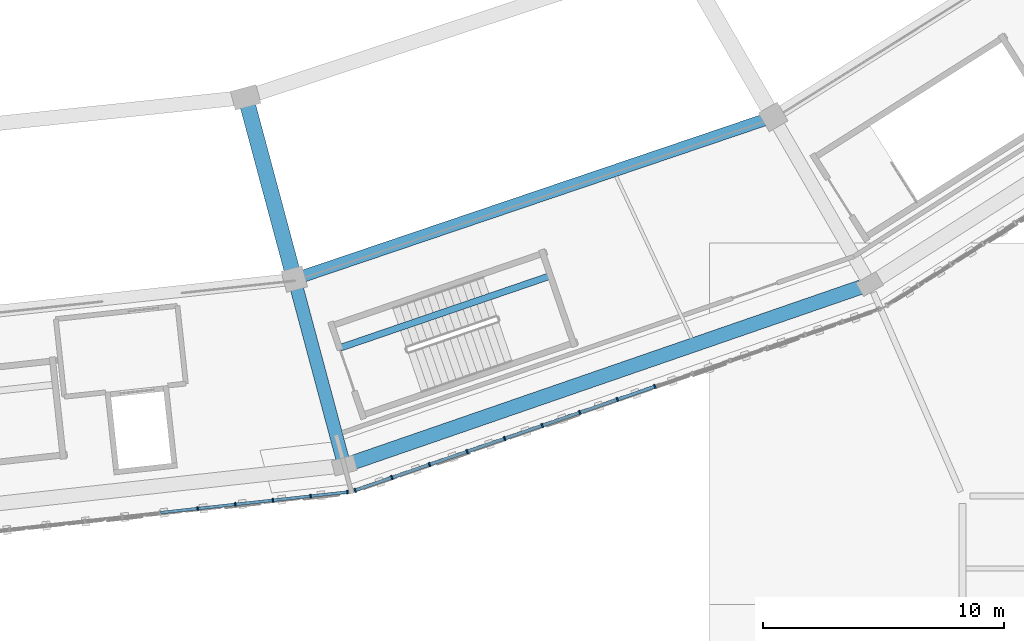
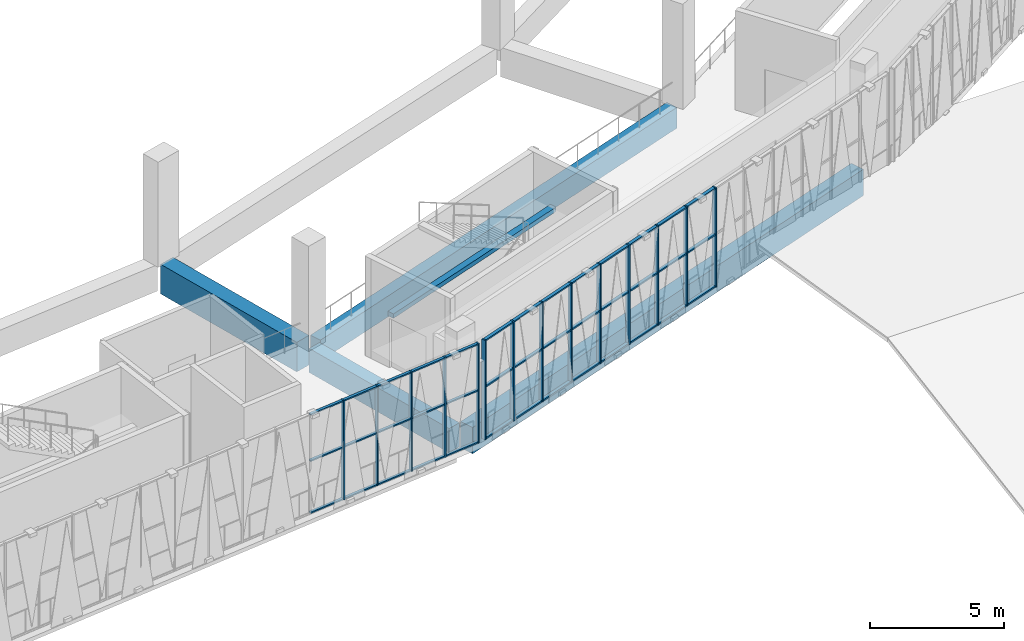
# One storey, part 19 of 108: 53 members, 5 beams, 2 elements without a shape of their own.
"""IFC4 building model written with IfcOpenShell, lengths in metres."""

from ifc_helpers import new_model, si_unit, direction, frame, origin, origin_2d, place, context, subcontext, project, spatial, rectangle, extrude, material, material_profile, profile_set, type_object, element, aggregate, save


model = new_model("IFC4")

# Units and contexts
model_context = context("Model", 3, precision=1e-05, world=origin(), true_north=direction((0.0, 1.0)))
body_context = subcontext(model_context, "Body", "Model", "MODEL_VIEW")
ifc_project = project(units=[si_unit("LENGTHUNIT", "METRE"), si_unit("AREAUNIT", "SQUARE_METRE"), si_unit("VOLUMEUNIT", "CUBIC_METRE"), si_unit("PLANEANGLEUNIT", "RADIAN"), si_unit("MASSUNIT", "GRAM", prefix="KILO")], contexts=[model_context])

# Site, building, storey
site_placement = place(None, origin())
site = spatial("IfcSite", under=ifc_project, at=site_placement, CompositionType="ELEMENT")
building_placement = place(site_placement, origin())
building = spatial("IfcBuilding", under=site, at=building_placement, Name="Zevraka Park Crest Stadium", CompositionType="ELEMENT")
storey_placement = place(building_placement, frame((0.0, 0.0, 19.800048828125)))
storey = spatial("IfcBuildingStorey", under=building, at=storey_placement, Name="L04", CompositionType="ELEMENT", Elevation=19.800048828125)

# Beams
ifc_material_1 = material(Name="Concrete C40/50", Category="concrete")
ifc_material_profile_1 = material_profile(ifc_material_1, rectangle(XDim=0.64990234375, YDim=1.35009765625, at=origin_2d()), Name="RC 1350x650")
ifc_profile_set_1 = profile_set([ifc_material_profile_1], Name="Concrete C40/50")
beam_type_1 = type_object("IfcBeamType", Name="BG01", PredefinedType="BEAM", material=ifc_profile_set_1)
beam_1_placement = place(storey_placement, frame((131.360107421875, 34.237060546875, -0.68505859375), z_axis=(0.258747385792, -0.965945024495, 0.0), x_axis=(0.965945024495, 0.258747385792, 0.0)))
element("IfcBeam", 1, at=beam_1_placement, inside=storey, type_object=beam_type_1, Name="Radial Girder BG01 L04-BC-19", PredefinedType="BEAM", context=body_context, shape_type="SweptSolid", body=[
    extrude(rectangle(XDim=0.64990234375, YDim=1.35009765625, at=origin_2d()), origin(), (0.0, 0.0, 1.0), 7.19921875),
])
ifc_material_2 = material(Name="Concrete C40/50", Category="concrete")
ifc_material_profile_2 = material_profile(ifc_material_2, rectangle(XDim=0.550048828125, YDim=1.10009765625, at=origin_2d()), Name="RC 1100x550")
ifc_profile_set_2 = profile_set([ifc_material_profile_2], Name="Concrete C40/50")
beam_type_2 = type_object("IfcBeamType", Name="BG02", PredefinedType="BEAM", material=ifc_profile_set_2)
beam_2_placement = place(storey_placement, frame((133.37890625, 26.702880859375, -0.56005859375), z_axis=(0.258697599806, -0.965958359276, 0.0), x_axis=(0.965958359276, 0.258697599806, 0.0)))
element("IfcBeam", 2, at=beam_2_placement, inside=storey, type_object=beam_type_2, Name="Radial Girder BG02 L04-CD-19", PredefinedType="BEAM", context=body_context, shape_type="SweptSolid", body=[
    extrude(rectangle(XDim=0.550048828125, YDim=1.10009765625, at=origin_2d()), origin(), (0.0, 0.0, 1.0), 7.39892578125),
])

# Curtain wall, members
ifc_material_3 = material(Name="Anodised architectural aluminium and laminated safety glass", Category="aluminium")
curtain_wall_type_1 = type_object("IfcCurtainWallType", Name="CW16", PredefinedType="NOTDEFINED", material=ifc_material_3)
curtain_wall_1_placement = place(storey_placement, origin())
curtain_wall_1 = element("IfcCurtainWall", 3, at=curtain_wall_1_placement, inside=storey, type_object=curtain_wall_type_1, Name="Unitised Ring Curtain Wall CW16 L04-18", PredefinedType="NOTDEFINED")
ifc_material_4 = material(Name="Anodised architectural aluminium", Category="aluminium")
ifc_material_profile_3 = material_profile(ifc_material_4, rectangle(XDim=0.159912109375, YDim=0.06005859375, at=origin_2d()), Name="ALU MULLION 160x60")
ifc_profile_set_3 = profile_set([ifc_material_profile_3], Name="Anodised architectural aluminium")
member_type_1 = type_object("IfcMemberType", Name="CM01", PredefinedType="MULLION", material=ifc_profile_set_3)
member_1_placement = place(storey_placement, frame((129.29296875, 17.484130859375, 0.0), z_axis=(0.0, 0.0, 1.0), x_axis=(-0.109405941967, 0.993997152844, 0.0)))
member_1 = element("IfcMember", 4, at=member_1_placement, type_object=member_type_1, Name="CW16 mullion 12", PredefinedType="MULLION", context=body_context, shape_type="SweptSolid", body=[
    extrude(rectangle(XDim=0.159912109375, YDim=0.06005859375, at=origin_2d()), origin(), (0.0, 0.0, 1.0), 4.5400390625),
])
member_2_placement = place(storey_placement, frame((130.853271484375, 17.65576171875, 0.0), z_axis=(0.0, 0.0, 1.0), x_axis=(-0.109405941967, 0.993997152844, 0.0)))
member_2 = element("IfcMember", 5, at=member_2_placement, type_object=member_type_1, Name="CW16 mullion 13", PredefinedType="MULLION", context=body_context, shape_type="SweptSolid", body=[
    extrude(rectangle(XDim=0.159912109375, YDim=0.06005859375, at=origin_2d()), origin(), (0.0, 0.0, 1.0), 4.5400390625),
])
member_3_placement = place(storey_placement, frame((132.41357421875, 17.82763671875, 0.0), z_axis=(0.0, 0.0, 1.0), x_axis=(-0.109405941967, 0.993997152844, 0.0)))
member_3 = element("IfcMember", 6, at=member_3_placement, type_object=member_type_1, Name="CW16 mullion 14", PredefinedType="MULLION", context=body_context, shape_type="SweptSolid", body=[
    extrude(rectangle(XDim=0.159912109375, YDim=0.06005859375, at=origin_2d()), origin(), (0.0, 0.0, 1.0), 4.5400390625),
])
member_4_placement = place(storey_placement, frame((133.9736328125, 17.999267578125, 0.0), z_axis=(0.0, 0.0, 1.0), x_axis=(-0.109405941967, 0.993997152844, 0.0)))
member_4 = element("IfcMember", 7, at=member_4_placement, type_object=member_type_1, Name="CW16 mullion 15", PredefinedType="MULLION", context=body_context, shape_type="SweptSolid", body=[
    extrude(rectangle(XDim=0.159912109375, YDim=0.06005859375, at=origin_2d()), origin(), (0.0, 0.0, 1.0), 4.5400390625),
])
member_5_placement = place(storey_placement, frame((135.504150390625, 18.167724609375, 0.0), z_axis=(0.0, 0.0, 1.0), x_axis=(-0.109405941967, 0.993997152844, 0.0)))
member_5 = element("IfcMember", 8, at=member_5_placement, type_object=member_type_1, Name="CW16 mullion 16", PredefinedType="MULLION", context=body_context, shape_type="SweptSolid", body=[
    extrude(rectangle(XDim=0.159912109375, YDim=0.06005859375, at=origin_2d()), origin(), (0.0, 0.0, 1.0), 4.5400390625),
])

ifc_material_5 = material(Name="Anodised architectural aluminium and laminated safety glass", Category="aluminium")
curtain_wall_type_2 = type_object("IfcCurtainWallType", Name="CW17", PredefinedType="NOTDEFINED", material=ifc_material_5)
curtain_wall_2_placement = place(storey_placement, origin())
curtain_wall_2 = element("IfcCurtainWall", 9, at=curtain_wall_2_placement, inside=storey, type_object=curtain_wall_type_2, Name="Unitised Ring Curtain Wall CW17 L04-19", PredefinedType="NOTDEFINED")
ifc_material_6 = material(Name="Anodised architectural aluminium", Category="aluminium")
ifc_material_profile_4 = material_profile(ifc_material_6, rectangle(XDim=0.179931640625, YDim=0.06494140625, at=origin_2d()), Name="ALU MULLION 180x65")
ifc_profile_set_4 = profile_set([ifc_material_profile_4], Name="Anodised architectural aluminium")
member_type_2 = type_object("IfcMemberType", Name="CM02", PredefinedType="MULLION", material=ifc_profile_set_4)
member_6_placement = place(storey_placement, frame((135.818603515625, 18.238525390625, 0.0), z_axis=(0.0, 0.0, 1.0), x_axis=(-0.327244524523, 0.944939691816, 0.0)))
member_6 = element("IfcMember", 10, at=member_6_placement, type_object=member_type_2, Name="CW17 mullion 1", PredefinedType="MULLION", context=body_context, shape_type="SweptSolid", body=[
    extrude(rectangle(XDim=0.179931640625, YDim=0.06494140625, at=origin_2d()), origin(), (0.0, 0.0, 1.0), 4.5400390625),
])
member_7_placement = place(storey_placement, frame((137.345458984375, 18.767333984375, 0.0), z_axis=(0.0, 0.0, 1.0), x_axis=(-0.327244524523, 0.944939691816, 0.0)))
member_7 = element("IfcMember", 11, at=member_7_placement, type_object=member_type_2, Name="CW17 mullion 2", PredefinedType="MULLION", context=body_context, shape_type="SweptSolid", body=[
    extrude(rectangle(XDim=0.179931640625, YDim=0.06494140625, at=origin_2d()), origin(), (0.0, 0.0, 1.0), 4.5400390625),
])
member_8_placement = place(storey_placement, frame((138.90283203125, 19.306640625, 0.0), z_axis=(0.0, 0.0, 1.0), x_axis=(-0.327244524523, 0.944939691816, 0.0)))
member_8 = element("IfcMember", 12, at=member_8_placement, type_object=member_type_2, Name="CW17 mullion 3", PredefinedType="MULLION", context=body_context, shape_type="SweptSolid", body=[
    extrude(rectangle(XDim=0.179931640625, YDim=0.06494140625, at=origin_2d()), origin(), (0.0, 0.0, 1.0), 4.5400390625),
])
member_9_placement = place(storey_placement, frame((140.460205078125, 19.84619140625, 0.0), z_axis=(0.0, 0.0, 1.0), x_axis=(-0.327244524523, 0.944939691816, 0.0)))
member_9 = element("IfcMember", 13, at=member_9_placement, type_object=member_type_2, Name="CW17 mullion 4", PredefinedType="MULLION", context=body_context, shape_type="SweptSolid", body=[
    extrude(rectangle(XDim=0.179931640625, YDim=0.06494140625, at=origin_2d()), origin(), (0.0, 0.0, 1.0), 4.5400390625),
])
member_10_placement = place(storey_placement, frame((142.017822265625, 20.385498046875, 0.0), z_axis=(0.0, 0.0, 1.0), x_axis=(-0.327244524523, 0.944939691816, 0.0)))
member_10 = element("IfcMember", 14, at=member_10_placement, type_object=member_type_2, Name="CW17 mullion 5", PredefinedType="MULLION", context=body_context, shape_type="SweptSolid", body=[
    extrude(rectangle(XDim=0.179931640625, YDim=0.06494140625, at=origin_2d()), origin(), (0.0, 0.0, 1.0), 4.5400390625),
])
member_11_placement = place(storey_placement, frame((143.5751953125, 20.9248046875, 0.0), z_axis=(0.0, 0.0, 1.0), x_axis=(-0.327244524523, 0.944939691816, 0.0)))
member_11 = element("IfcMember", 15, at=member_11_placement, type_object=member_type_2, Name="CW17 mullion 6", PredefinedType="MULLION", context=body_context, shape_type="SweptSolid", body=[
    extrude(rectangle(XDim=0.179931640625, YDim=0.06494140625, at=origin_2d()), origin(), (0.0, 0.0, 1.0), 4.5400390625),
])
member_12_placement = place(storey_placement, frame((145.132568359375, 21.464111328125, 0.0), z_axis=(0.0, 0.0, 1.0), x_axis=(-0.327244524523, 0.944939691816, 0.0)))
member_12 = element("IfcMember", 16, at=member_12_placement, type_object=member_type_2, Name="CW17 mullion 7", PredefinedType="MULLION", context=body_context, shape_type="SweptSolid", body=[
    extrude(rectangle(XDim=0.179931640625, YDim=0.06494140625, at=origin_2d()), origin(), (0.0, 0.0, 1.0), 4.5400390625),
])
member_13_placement = place(storey_placement, frame((146.68994140625, 22.00341796875, 0.0), z_axis=(0.0, 0.0, 1.0), x_axis=(-0.327244524523, 0.944939691816, 0.0)))
member_13 = element("IfcMember", 17, at=member_13_placement, type_object=member_type_2, Name="CW17 mullion 8", PredefinedType="MULLION", context=body_context, shape_type="SweptSolid", body=[
    extrude(rectangle(XDim=0.179931640625, YDim=0.06494140625, at=origin_2d()), origin(), (0.0, 0.0, 1.0), 4.5400390625),
])
member_14_placement = place(storey_placement, frame((148.247314453125, 22.54296875, 0.0), z_axis=(0.0, 0.0, 1.0), x_axis=(-0.327244524523, 0.944939691816, 0.0)))
member_14 = element("IfcMember", 18, at=member_14_placement, type_object=member_type_2, Name="CW17 mullion 9", PredefinedType="MULLION", context=body_context, shape_type="SweptSolid", body=[
    extrude(rectangle(XDim=0.179931640625, YDim=0.06494140625, at=origin_2d()), origin(), (0.0, 0.0, 1.0), 4.5400390625),
])

# Member
ifc_material_7 = material(Name="Anodised architectural aluminium", Category="aluminium")
ifc_material_profile_5 = material_profile(ifc_material_7, rectangle(XDim=0.1201171875, YDim=0.06005859375, at=origin_2d()), Name="ALU TRANSOM 120x60")
ifc_profile_set_5 = profile_set([ifc_material_profile_5], Name="Anodised architectural aluminium")
member_type_3 = type_object("IfcMemberType", Name="CT01", PredefinedType="USERDEFINED", material=ifc_profile_set_5)
member_15_placement = place(storey_placement, frame((127.762451171875, 17.315673828125, 0.030029296875), z_axis=(0.994007343316, 0.109313317729, 0.0), x_axis=(-0.109313317729, 0.994007343316, 0.0)))
member_15 = element("IfcMember", 19, at=member_15_placement, type_object=member_type_3, Name="CW16 transom 11.1", ObjectType="TRANSOM", PredefinedType="USERDEFINED", context=body_context, shape_type="SweptSolid", body=[
    extrude(rectangle(XDim=0.1201171875, YDim=0.06005859375, at=origin_2d()), origin(), (0.0, 0.0, 1.0), 1.509765625),
])

member_16_placement = place(storey_placement, frame((127.762451171875, 17.315673828125, 2.39990234375), z_axis=(0.994007343316, 0.109313317729, 0.0), x_axis=(-0.109313317729, 0.994007343316, 0.0)))
member_16 = element("IfcMember", 20, at=member_16_placement, type_object=member_type_3, Name="CW16 transom 11.2", ObjectType="TRANSOM", PredefinedType="USERDEFINED", context=body_context, shape_type="SweptSolid", body=[
    extrude(rectangle(XDim=0.1201171875, YDim=0.06005859375, at=origin_2d()), origin(), (0.0, 0.0, 1.0), 1.509765625),
])

member_17_placement = place(storey_placement, frame((127.762451171875, 17.315673828125, 4.510009765625), z_axis=(0.994007343316, 0.109313317729, 0.0), x_axis=(-0.109313317729, 0.994007343316, 0.0)))
member_17 = element("IfcMember", 21, at=member_17_placement, type_object=member_type_3, Name="CW16 transom 11.3", ObjectType="TRANSOM", PredefinedType="USERDEFINED", context=body_context, shape_type="SweptSolid", body=[
    extrude(rectangle(XDim=0.1201171875, YDim=0.06005859375, at=origin_2d()), origin(), (0.0, 0.0, 1.0), 1.509765625),
])

member_18_placement = place(storey_placement, frame((129.32275390625, 17.4873046875, 0.030029296875), z_axis=(0.993989760088, 0.109473087291, 0.0), x_axis=(-0.109473087291, 0.993989760088, 0.0)))
member_18 = element("IfcMember", 22, at=member_18_placement, type_object=member_type_3, Name="CW16 transom 12.1", ObjectType="TRANSOM", PredefinedType="USERDEFINED", context=body_context, shape_type="SweptSolid", body=[
    extrude(rectangle(XDim=0.1201171875, YDim=0.06005859375, at=origin_2d()), origin(), (0.0, 0.0, 1.0), 1.509765625),
])

member_19_placement = place(storey_placement, frame((129.32275390625, 17.4873046875, 2.39990234375), z_axis=(0.993989760088, 0.109473087291, 0.0), x_axis=(-0.109473087291, 0.993989760088, 0.0)))
member_19 = element("IfcMember", 23, at=member_19_placement, type_object=member_type_3, Name="CW16 transom 12.2", ObjectType="TRANSOM", PredefinedType="USERDEFINED", context=body_context, shape_type="SweptSolid", body=[
    extrude(rectangle(XDim=0.1201171875, YDim=0.06005859375, at=origin_2d()), origin(), (0.0, 0.0, 1.0), 1.509765625),
])

member_20_placement = place(storey_placement, frame((129.32275390625, 17.4873046875, 4.510009765625), z_axis=(0.993989760088, 0.109473087291, 0.0), x_axis=(-0.109473087291, 0.993989760088, 0.0)))
member_20 = element("IfcMember", 24, at=member_20_placement, type_object=member_type_3, Name="CW16 transom 12.3", ObjectType="TRANSOM", PredefinedType="USERDEFINED", context=body_context, shape_type="SweptSolid", body=[
    extrude(rectangle(XDim=0.1201171875, YDim=0.06005859375, at=origin_2d()), origin(), (0.0, 0.0, 1.0), 1.509765625),
])

member_21_placement = place(storey_placement, frame((130.883056640625, 17.6591796875, 0.030029296875), z_axis=(0.994005410559, 0.109330891236, 0.0), x_axis=(-0.109330891236, 0.994005410559, 0.0)))
member_21 = element("IfcMember", 25, at=member_21_placement, type_object=member_type_3, Name="CW16 transom 13.1", ObjectType="TRANSOM", PredefinedType="USERDEFINED", context=body_context, shape_type="SweptSolid", body=[
    extrude(rectangle(XDim=0.1201171875, YDim=0.06005859375, at=origin_2d()), origin(), (0.0, 0.0, 1.0), 1.509521484375),
])

member_22_placement = place(storey_placement, frame((130.883056640625, 17.6591796875, 2.39990234375), z_axis=(0.994005410559, 0.109330891236, 0.0), x_axis=(-0.109330891236, 0.994005410559, 0.0)))
member_22 = element("IfcMember", 26, at=member_22_placement, type_object=member_type_3, Name="CW16 transom 13.2", ObjectType="TRANSOM", PredefinedType="USERDEFINED", context=body_context, shape_type="SweptSolid", body=[
    extrude(rectangle(XDim=0.1201171875, YDim=0.06005859375, at=origin_2d()), origin(), (0.0, 0.0, 1.0), 1.509521484375),
])

member_23_placement = place(storey_placement, frame((130.883056640625, 17.6591796875, 4.510009765625), z_axis=(0.994005410559, 0.109330891236, 0.0), x_axis=(-0.109330891236, 0.994005410559, 0.0)))
member_23 = element("IfcMember", 27, at=member_23_placement, type_object=member_type_3, Name="CW16 transom 13.3", ObjectType="TRANSOM", PredefinedType="USERDEFINED", context=body_context, shape_type="SweptSolid", body=[
    extrude(rectangle(XDim=0.1201171875, YDim=0.06005859375, at=origin_2d()), origin(), (0.0, 0.0, 1.0), 1.509521484375),
])

member_24_placement = place(storey_placement, frame((132.443359375, 17.830810546875, 0.030029296875), z_axis=(0.993987821711, 0.10949068586, 0.0), x_axis=(-0.10949068586, 0.993987821711, 0.0)))
member_24 = element("IfcMember", 28, at=member_24_placement, type_object=member_type_3, Name="CW16 transom 14.1", ObjectType="TRANSOM", PredefinedType="USERDEFINED", context=body_context, shape_type="SweptSolid", body=[
    extrude(rectangle(XDim=0.1201171875, YDim=0.06005859375, at=origin_2d()), origin(), (0.0, 0.0, 1.0), 1.509521484375),
])

member_25_placement = place(storey_placement, frame((132.443359375, 17.830810546875, 2.39990234375), z_axis=(0.993987821711, 0.10949068586, 0.0), x_axis=(-0.10949068586, 0.993987821711, 0.0)))
member_25 = element("IfcMember", 29, at=member_25_placement, type_object=member_type_3, Name="CW16 transom 14.2", ObjectType="TRANSOM", PredefinedType="USERDEFINED", context=body_context, shape_type="SweptSolid", body=[
    extrude(rectangle(XDim=0.1201171875, YDim=0.06005859375, at=origin_2d()), origin(), (0.0, 0.0, 1.0), 1.509521484375),
])

member_26_placement = place(storey_placement, frame((132.443359375, 17.830810546875, 4.510009765625), z_axis=(0.993987821711, 0.10949068586, 0.0), x_axis=(-0.10949068586, 0.993987821711, 0.0)))
member_26 = element("IfcMember", 30, at=member_26_placement, type_object=member_type_3, Name="CW16 transom 14.3", ObjectType="TRANSOM", PredefinedType="USERDEFINED", context=body_context, shape_type="SweptSolid", body=[
    extrude(rectangle(XDim=0.1201171875, YDim=0.06005859375, at=origin_2d()), origin(), (0.0, 0.0, 1.0), 1.509521484375),
])

member_27_placement = place(storey_placement, frame((134.003662109375, 18.00244140625, 0.030029296875), z_axis=(0.993979941823, 0.109562198103, 0.0), x_axis=(-0.109562198103, 0.993979941823, 0.0)))
member_27 = element("IfcMember", 31, at=member_27_placement, type_object=member_type_3, Name="CW16 transom 15.1", ObjectType="TRANSOM", PredefinedType="USERDEFINED", context=body_context, shape_type="SweptSolid", body=[
    extrude(rectangle(XDim=0.1201171875, YDim=0.06005859375, at=origin_2d()), origin(), (0.0, 0.0, 1.0), 1.4794921875),
])

member_28_placement = place(storey_placement, frame((134.003662109375, 18.00244140625, 2.39990234375), z_axis=(0.993979941823, 0.109562198103, 0.0), x_axis=(-0.109562198103, 0.993979941823, 0.0)))
member_28 = element("IfcMember", 32, at=member_28_placement, type_object=member_type_3, Name="CW16 transom 15.2", ObjectType="TRANSOM", PredefinedType="USERDEFINED", context=body_context, shape_type="SweptSolid", body=[
    extrude(rectangle(XDim=0.1201171875, YDim=0.06005859375, at=origin_2d()), origin(), (0.0, 0.0, 1.0), 1.4794921875),
])

member_29_placement = place(storey_placement, frame((134.003662109375, 18.00244140625, 4.510009765625), z_axis=(0.993979941823, 0.109562198103, 0.0), x_axis=(-0.109562198103, 0.993979941823, 0.0)))
member_29 = element("IfcMember", 33, at=member_29_placement, type_object=member_type_3, Name="CW16 transom 15.3", ObjectType="TRANSOM", PredefinedType="USERDEFINED", context=body_context, shape_type="SweptSolid", body=[
    extrude(rectangle(XDim=0.1201171875, YDim=0.06005859375, at=origin_2d()), origin(), (0.0, 0.0, 1.0), 1.4794921875),
])

aggregate(curtain_wall_1, [member_1, member_2, member_3, member_4, member_5, member_15, member_16, member_17, member_18, member_19, member_20, member_21, member_22, member_23, member_24, member_25, member_26, member_27, member_28, member_29])

ifc_material_8 = material(Name="Anodised architectural aluminium", Category="aluminium")
ifc_material_profile_6 = material_profile(ifc_material_8, rectangle(XDim=0.139892578125, YDim=0.06494140625, at=origin_2d()), Name="ALU TRANSOM 140x65")
ifc_profile_set_6 = profile_set([ifc_material_profile_6], Name="Anodised architectural aluminium")
member_type_4 = type_object("IfcMemberType", Name="CT02", PredefinedType="USERDEFINED", material=ifc_profile_set_6)
member_30_placement = place(storey_placement, frame((135.849365234375, 18.249267578125, 0.032470703125), z_axis=(0.944918670821, 0.3273052177, 0.0), x_axis=(-0.3273052177, 0.944918670821, 0.0)))
member_30 = element("IfcMember", 34, at=member_30_placement, type_object=member_type_4, Name="CW17 transom 1.1", ObjectType="TRANSOM", PredefinedType="USERDEFINED", context=body_context, shape_type="SweptSolid", body=[
    extrude(rectangle(XDim=0.139892578125, YDim=0.06494140625, at=origin_2d()), origin(), (0.0, 0.0, 1.0), 1.55078125),
])

member_31_placement = place(storey_placement, frame((135.849365234375, 18.249267578125, 2.39990234375), z_axis=(0.944918670821, 0.3273052177, 0.0), x_axis=(-0.3273052177, 0.944918670821, 0.0)))
member_31 = element("IfcMember", 35, at=member_31_placement, type_object=member_type_4, Name="CW17 transom 1.2", ObjectType="TRANSOM", PredefinedType="USERDEFINED", context=body_context, shape_type="SweptSolid", body=[
    extrude(rectangle(XDim=0.139892578125, YDim=0.06494140625, at=origin_2d()), origin(), (0.0, 0.0, 1.0), 1.55078125),
])

member_32_placement = place(storey_placement, frame((135.849365234375, 18.249267578125, 4.507568359375), z_axis=(0.944918670821, 0.3273052177, 0.0), x_axis=(-0.3273052177, 0.944918670821, 0.0)))
member_32 = element("IfcMember", 36, at=member_32_placement, type_object=member_type_4, Name="CW17 transom 1.3", ObjectType="TRANSOM", PredefinedType="USERDEFINED", context=body_context, shape_type="SweptSolid", body=[
    extrude(rectangle(XDim=0.139892578125, YDim=0.06494140625, at=origin_2d()), origin(), (0.0, 0.0, 1.0), 1.55078125),
])

member_33_placement = place(storey_placement, frame((137.376220703125, 18.778076171875, 0.032470703125), z_axis=(0.944932887153, 0.327264172766, 0.0), x_axis=(-0.327264172766, 0.944932887153, 0.0)))
member_33 = element("IfcMember", 37, at=member_33_placement, type_object=member_type_4, Name="CW17 transom 2.1", ObjectType="TRANSOM", PredefinedType="USERDEFINED", context=body_context, shape_type="SweptSolid", body=[
    extrude(rectangle(XDim=0.139892578125, YDim=0.06494140625, at=origin_2d()), origin(), (0.0, 0.0, 1.0), 1.5830078125),
])

member_34_placement = place(storey_placement, frame((137.376220703125, 18.778076171875, 2.39990234375), z_axis=(0.944932887153, 0.327264172766, 0.0), x_axis=(-0.327264172766, 0.944932887153, 0.0)))
member_34 = element("IfcMember", 38, at=member_34_placement, type_object=member_type_4, Name="CW17 transom 2.2", ObjectType="TRANSOM", PredefinedType="USERDEFINED", context=body_context, shape_type="SweptSolid", body=[
    extrude(rectangle(XDim=0.139892578125, YDim=0.06494140625, at=origin_2d()), origin(), (0.0, 0.0, 1.0), 1.5830078125),
])

member_35_placement = place(storey_placement, frame((137.376220703125, 18.778076171875, 4.507568359375), z_axis=(0.944932887153, 0.327264172766, 0.0), x_axis=(-0.327264172766, 0.944932887153, 0.0)))
member_35 = element("IfcMember", 39, at=member_35_placement, type_object=member_type_4, Name="CW17 transom 2.3", ObjectType="TRANSOM", PredefinedType="USERDEFINED", context=body_context, shape_type="SweptSolid", body=[
    extrude(rectangle(XDim=0.139892578125, YDim=0.06494140625, at=origin_2d()), origin(), (0.0, 0.0, 1.0), 1.5830078125),
])

member_36_placement = place(storey_placement, frame((138.93359375, 19.3173828125, 0.032470703125), z_axis=(0.94494940126, 0.327216486533, 0.0), x_axis=(-0.327216486533, 0.94494940126, 0.0)))
member_36 = element("IfcMember", 40, at=member_36_placement, type_object=member_type_4, Name="CW17 transom 3.1", ObjectType="TRANSOM", PredefinedType="USERDEFINED", context=body_context, shape_type="SweptSolid", body=[
    extrude(rectangle(XDim=0.139892578125, YDim=0.06494140625, at=origin_2d()), origin(), (0.0, 0.0, 1.0), 1.583251953125),
])

member_37_placement = place(storey_placement, frame((138.93359375, 19.3173828125, 2.39990234375), z_axis=(0.94494940126, 0.327216486533, 0.0), x_axis=(-0.327216486533, 0.94494940126, 0.0)))
member_37 = element("IfcMember", 41, at=member_37_placement, type_object=member_type_4, Name="CW17 transom 3.2", ObjectType="TRANSOM", PredefinedType="USERDEFINED", context=body_context, shape_type="SweptSolid", body=[
    extrude(rectangle(XDim=0.139892578125, YDim=0.06494140625, at=origin_2d()), origin(), (0.0, 0.0, 1.0), 1.583251953125),
])

member_38_placement = place(storey_placement, frame((138.93359375, 19.3173828125, 4.507568359375), z_axis=(0.94494940126, 0.327216486533, 0.0), x_axis=(-0.327216486533, 0.94494940126, 0.0)))
member_38 = element("IfcMember", 42, at=member_38_placement, type_object=member_type_4, Name="CW17 transom 3.3", ObjectType="TRANSOM", PredefinedType="USERDEFINED", context=body_context, shape_type="SweptSolid", body=[
    extrude(rectangle(XDim=0.139892578125, YDim=0.06494140625, at=origin_2d()), origin(), (0.0, 0.0, 1.0), 1.583251953125),
])

member_39_placement = place(storey_placement, frame((140.490966796875, 19.856689453125, 0.032470703125), z_axis=(0.94494940126, 0.327216486533, 0.0), x_axis=(-0.327216486533, 0.94494940126, 0.0)))
member_39 = element("IfcMember", 43, at=member_39_placement, type_object=member_type_4, Name="CW17 transom 4.1", ObjectType="TRANSOM", PredefinedType="USERDEFINED", context=body_context, shape_type="SweptSolid", body=[
    extrude(rectangle(XDim=0.139892578125, YDim=0.06494140625, at=origin_2d()), origin(), (0.0, 0.0, 1.0), 1.583251953125),
])

member_40_placement = place(storey_placement, frame((140.490966796875, 19.856689453125, 2.39990234375), z_axis=(0.94494940126, 0.327216486533, 0.0), x_axis=(-0.327216486533, 0.94494940126, 0.0)))
member_40 = element("IfcMember", 44, at=member_40_placement, type_object=member_type_4, Name="CW17 transom 4.2", ObjectType="TRANSOM", PredefinedType="USERDEFINED", context=body_context, shape_type="SweptSolid", body=[
    extrude(rectangle(XDim=0.139892578125, YDim=0.06494140625, at=origin_2d()), origin(), (0.0, 0.0, 1.0), 1.583251953125),
])

member_41_placement = place(storey_placement, frame((140.490966796875, 19.856689453125, 4.507568359375), z_axis=(0.94494940126, 0.327216486533, 0.0), x_axis=(-0.327216486533, 0.94494940126, 0.0)))
member_41 = element("IfcMember", 45, at=member_41_placement, type_object=member_type_4, Name="CW17 transom 4.3", ObjectType="TRANSOM", PredefinedType="USERDEFINED", context=body_context, shape_type="SweptSolid", body=[
    extrude(rectangle(XDim=0.139892578125, YDim=0.06494140625, at=origin_2d()), origin(), (0.0, 0.0, 1.0), 1.583251953125),
])

member_42_placement = place(storey_placement, frame((142.04833984375, 20.39599609375, 0.032470703125), z_axis=(0.94494940126, 0.327216486533, 0.0), x_axis=(-0.327216486533, 0.94494940126, 0.0)))
member_42 = element("IfcMember", 46, at=member_42_placement, type_object=member_type_4, Name="CW17 transom 5.1", ObjectType="TRANSOM", PredefinedType="USERDEFINED", context=body_context, shape_type="SweptSolid", body=[
    extrude(rectangle(XDim=0.139892578125, YDim=0.06494140625, at=origin_2d()), origin(), (0.0, 0.0, 1.0), 1.583251953125),
])

member_43_placement = place(storey_placement, frame((142.04833984375, 20.39599609375, 2.39990234375), z_axis=(0.94494940126, 0.327216486533, 0.0), x_axis=(-0.327216486533, 0.94494940126, 0.0)))
member_43 = element("IfcMember", 47, at=member_43_placement, type_object=member_type_4, Name="CW17 transom 5.2", ObjectType="TRANSOM", PredefinedType="USERDEFINED", context=body_context, shape_type="SweptSolid", body=[
    extrude(rectangle(XDim=0.139892578125, YDim=0.06494140625, at=origin_2d()), origin(), (0.0, 0.0, 1.0), 1.583251953125),
])

member_44_placement = place(storey_placement, frame((142.04833984375, 20.39599609375, 4.507568359375), z_axis=(0.94494940126, 0.327216486533, 0.0), x_axis=(-0.327216486533, 0.94494940126, 0.0)))
member_44 = element("IfcMember", 48, at=member_44_placement, type_object=member_type_4, Name="CW17 transom 5.3", ObjectType="TRANSOM", PredefinedType="USERDEFINED", context=body_context, shape_type="SweptSolid", body=[
    extrude(rectangle(XDim=0.139892578125, YDim=0.06494140625, at=origin_2d()), origin(), (0.0, 0.0, 1.0), 1.583251953125),
])

member_45_placement = place(storey_placement, frame((143.60595703125, 20.935302734375, 0.032470703125), z_axis=(0.944885186761, 0.327401869021, 0.0), x_axis=(-0.327401869021, 0.944885186761, 0.0)))
member_45 = element("IfcMember", 49, at=member_45_placement, type_object=member_type_4, Name="CW17 transom 6.1", ObjectType="TRANSOM", PredefinedType="USERDEFINED", context=body_context, shape_type="SweptSolid", body=[
    extrude(rectangle(XDim=0.139892578125, YDim=0.06494140625, at=origin_2d()), origin(), (0.0, 0.0, 1.0), 1.5830078125),
])

member_46_placement = place(storey_placement, frame((143.60595703125, 20.935302734375, 2.39990234375), z_axis=(0.944885186761, 0.327401869021, 0.0), x_axis=(-0.327401869021, 0.944885186761, 0.0)))
member_46 = element("IfcMember", 50, at=member_46_placement, type_object=member_type_4, Name="CW17 transom 6.2", ObjectType="TRANSOM", PredefinedType="USERDEFINED", context=body_context, shape_type="SweptSolid", body=[
    extrude(rectangle(XDim=0.139892578125, YDim=0.06494140625, at=origin_2d()), origin(), (0.0, 0.0, 1.0), 1.5830078125),
])

member_47_placement = place(storey_placement, frame((143.60595703125, 20.935302734375, 4.507568359375), z_axis=(0.944885186761, 0.327401869021, 0.0), x_axis=(-0.327401869021, 0.944885186761, 0.0)))
member_47 = element("IfcMember", 51, at=member_47_placement, type_object=member_type_4, Name="CW17 transom 6.3", ObjectType="TRANSOM", PredefinedType="USERDEFINED", context=body_context, shape_type="SweptSolid", body=[
    extrude(rectangle(XDim=0.139892578125, YDim=0.06494140625, at=origin_2d()), origin(), (0.0, 0.0, 1.0), 1.5830078125),
])

member_48_placement = place(storey_placement, frame((145.163330078125, 21.474853515625, 0.032470703125), z_axis=(0.944932887153, 0.327264172766, 0.0), x_axis=(-0.327264172766, 0.944932887153, 0.0)))
member_48 = element("IfcMember", 52, at=member_48_placement, type_object=member_type_4, Name="CW17 transom 7.1", ObjectType="TRANSOM", PredefinedType="USERDEFINED", context=body_context, shape_type="SweptSolid", body=[
    extrude(rectangle(XDim=0.139892578125, YDim=0.06494140625, at=origin_2d()), origin(), (0.0, 0.0, 1.0), 1.5830078125),
])

member_49_placement = place(storey_placement, frame((145.163330078125, 21.474853515625, 2.39990234375), z_axis=(0.944932887153, 0.327264172766, 0.0), x_axis=(-0.327264172766, 0.944932887153, 0.0)))
member_49 = element("IfcMember", 53, at=member_49_placement, type_object=member_type_4, Name="CW17 transom 7.2", ObjectType="TRANSOM", PredefinedType="USERDEFINED", context=body_context, shape_type="SweptSolid", body=[
    extrude(rectangle(XDim=0.139892578125, YDim=0.06494140625, at=origin_2d()), origin(), (0.0, 0.0, 1.0), 1.5830078125),
])

member_50_placement = place(storey_placement, frame((145.163330078125, 21.474853515625, 4.507568359375), z_axis=(0.944932887153, 0.327264172766, 0.0), x_axis=(-0.327264172766, 0.944932887153, 0.0)))
member_50 = element("IfcMember", 54, at=member_50_placement, type_object=member_type_4, Name="CW17 transom 7.3", ObjectType="TRANSOM", PredefinedType="USERDEFINED", context=body_context, shape_type="SweptSolid", body=[
    extrude(rectangle(XDim=0.139892578125, YDim=0.06494140625, at=origin_2d()), origin(), (0.0, 0.0, 1.0), 1.5830078125),
])

member_51_placement = place(storey_placement, frame((146.720703125, 22.01416015625, 0.032470703125), z_axis=(0.94494940126, 0.327216486533, 0.0), x_axis=(-0.327216486533, 0.94494940126, 0.0)))
member_51 = element("IfcMember", 55, at=member_51_placement, type_object=member_type_4, Name="CW17 transom 8.1", ObjectType="TRANSOM", PredefinedType="USERDEFINED", context=body_context, shape_type="SweptSolid", body=[
    extrude(rectangle(XDim=0.139892578125, YDim=0.06494140625, at=origin_2d()), origin(), (0.0, 0.0, 1.0), 1.583251953125),
])

member_52_placement = place(storey_placement, frame((146.720703125, 22.01416015625, 2.39990234375), z_axis=(0.94494940126, 0.327216486533, 0.0), x_axis=(-0.327216486533, 0.94494940126, 0.0)))
member_52 = element("IfcMember", 56, at=member_52_placement, type_object=member_type_4, Name="CW17 transom 8.2", ObjectType="TRANSOM", PredefinedType="USERDEFINED", context=body_context, shape_type="SweptSolid", body=[
    extrude(rectangle(XDim=0.139892578125, YDim=0.06494140625, at=origin_2d()), origin(), (0.0, 0.0, 1.0), 1.583251953125),
])

member_53_placement = place(storey_placement, frame((146.720703125, 22.01416015625, 4.507568359375), z_axis=(0.94494940126, 0.327216486533, 0.0), x_axis=(-0.327216486533, 0.94494940126, 0.0)))
member_53 = element("IfcMember", 57, at=member_53_placement, type_object=member_type_4, Name="CW17 transom 8.3", ObjectType="TRANSOM", PredefinedType="USERDEFINED", context=body_context, shape_type="SweptSolid", body=[
    extrude(rectangle(XDim=0.139892578125, YDim=0.06494140625, at=origin_2d()), origin(), (0.0, 0.0, 1.0), 1.583251953125),
])

aggregate(curtain_wall_2, [member_6, member_7, member_8, member_9, member_10, member_11, member_12, member_13, member_14, member_30, member_31, member_32, member_33, member_34, member_35, member_36, member_37, member_38, member_39, member_40, member_41, member_42, member_43, member_44, member_45, member_46, member_47, member_48, member_49, member_50, member_51, member_52, member_53])

# Beams
ifc_material_9 = material(Name="Concrete C40/50", Category="concrete")
ifc_material_profile_7 = material_profile(ifc_material_9, rectangle(XDim=0.60009765625, YDim=1.199951171875, at=origin_2d()), Name="RC 1200x600")
ifc_profile_set_7 = profile_set([ifc_material_profile_7], Name="Concrete C40/50")
beam_type_3 = type_object("IfcBeamType", Name="RB01", PredefinedType="BEAM", material=ifc_profile_set_7)
beam_3_placement = place(storey_placement, frame((135.72998046875, 19.389892578125, -0.610107421875), z_axis=(0.945210431582, 0.326461697644, 0.0), x_axis=(-0.326461697644, 0.945210431582, 0.0)))
element("IfcBeam", 58, at=beam_3_placement, inside=storey, type_object=beam_type_3, Name="Ring Beam RB01 L04-D-19", PredefinedType="BEAM", context=body_context, shape_type="SweptSolid", body=[
    extrude(rectangle(XDim=0.60009765625, YDim=1.199951171875, at=origin_2d()), origin(), (0.0, 0.0, 1.0), 22.28173828125),
])
ifc_material_10 = material(Name="Concrete C40/50", Category="concrete")
ifc_material_profile_8 = material_profile(ifc_material_10, rectangle(XDim=0.5, YDim=0.949951171875, at=origin_2d()), Name="RC 950x500")
ifc_profile_set_8 = profile_set([ifc_material_profile_8], Name="Concrete C40/50")
beam_type_4 = type_object("IfcBeamType", Name="RB02", PredefinedType="BEAM", material=ifc_profile_set_8)
beam_4_placement = place(storey_placement, frame((133.660888671875, 27.114990234375, -0.485107421875), z_axis=(0.947147952377, 0.320797064058, 0.0), x_axis=(-0.320797064058, 0.947147952377, 0.0)))
element("IfcBeam", 59, at=beam_4_placement, inside=storey, type_object=beam_type_4, Name="Ring Beam RB02 L04-C-19", PredefinedType="BEAM", context=body_context, shape_type="SweptSolid", body=[
    extrude(rectangle(XDim=0.5, YDim=0.949951171875, at=origin_2d()), origin(), (0.0, 0.0, 1.0), 20.196533203125),
])
ifc_material_11 = material(Name="Concrete C40/50", Category="concrete")
ifc_material_profile_9 = material_profile(ifc_material_11, rectangle(XDim=0.280029296875, YDim=0.199951171875, at=origin_2d()), Name="RC 200x280")
ifc_profile_set_9 = profile_set([ifc_material_profile_9], Name="Concrete C40/50")
beam_type_5 = type_object("IfcBeamType", Name="SJ13", PredefinedType="JOIST", material=ifc_profile_set_9)
beam_5_placement = place(storey_placement, frame((135.19677734375, 24.144287109375, 2.300048828125), z_axis=(0.946065027556, 0.323976794902, 0.0), x_axis=(-0.323976794902, 0.946065027556, 0.0)))
element("IfcBeam", 60, at=beam_5_placement, inside=storey, type_object=beam_type_5, Name="Stair Upper-Flight Longitudinal Stringer SJ13 ST20-L04", PredefinedType="JOIST", context=body_context, shape_type="SweptSolid", body=[
    extrude(rectangle(XDim=0.280029296875, YDim=0.199951171875, at=origin_2d()), origin(), (0.0, 0.0, 1.0), 9.250244140625),
])

save(model, "model.ifc")
